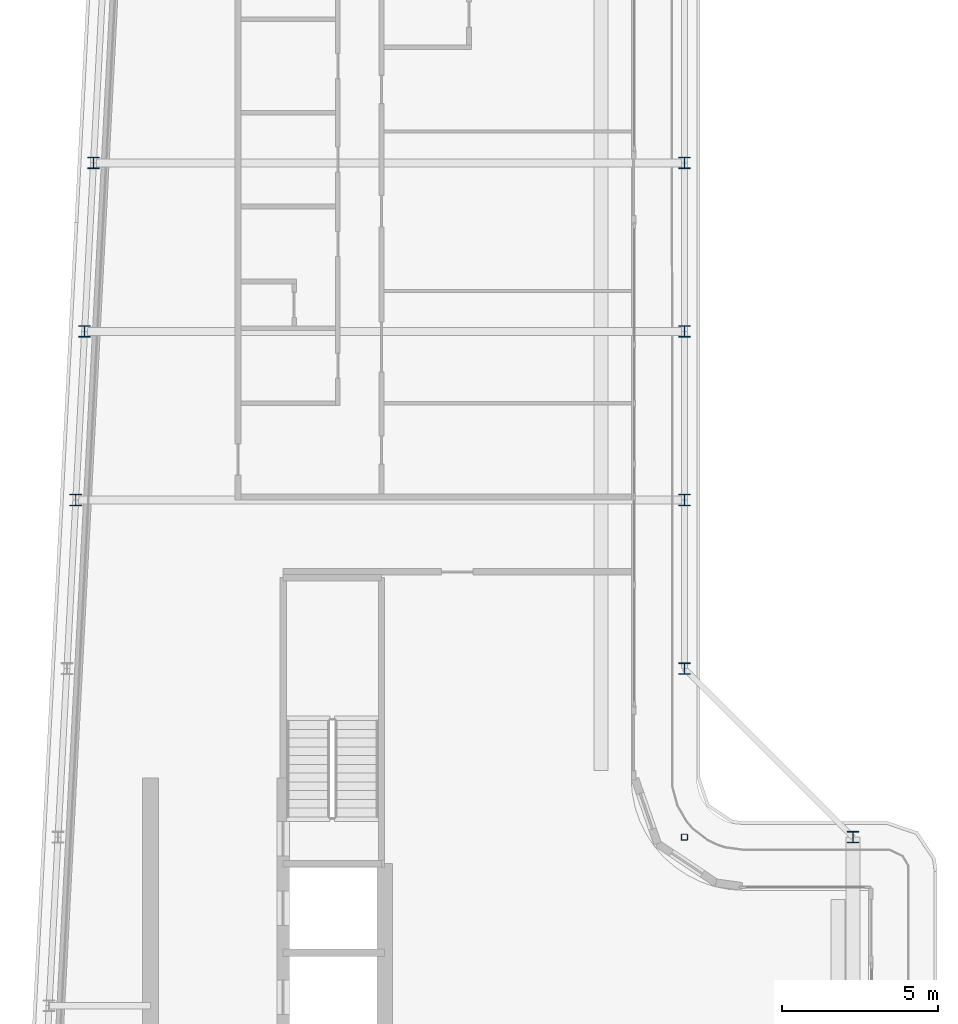
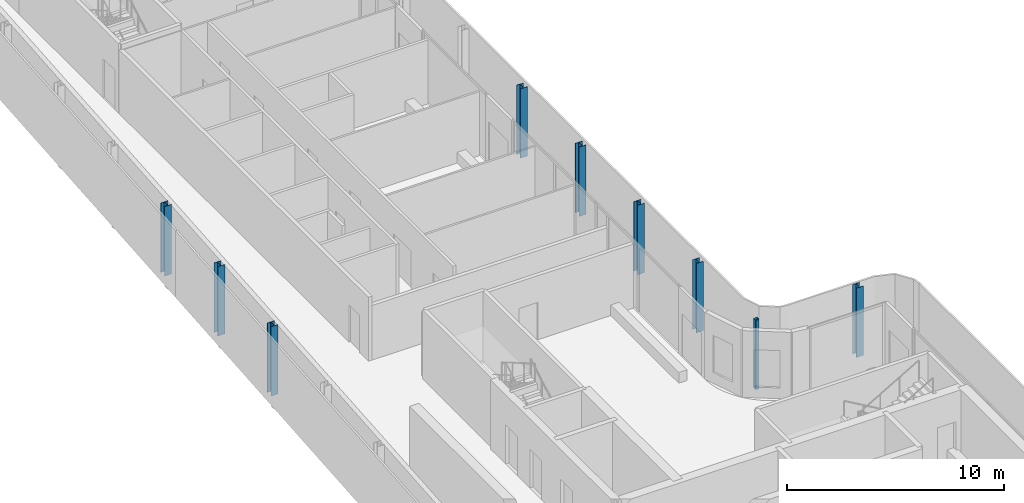
# One storey, part 2 of 18: 9 columns.
"""IFC4 building model written with IfcOpenShell, lengths in metres."""

import ifcopenshell
import ifcopenshell.guid

model = None  # the IFC model being written
_history = None  # IfcOwnerHistory: only IFC2X3 demands one
_inside = {}  # id of a spatial element -> (the spatial element, [elements in it])
_under = {}  # id of a project, library or spatial element -> (it, [spatial elements below it])
_declared = {}  # id of a project -> (the project, [libraries it declares])
_typed = {}  # id of a type object -> (the type object, [elements of that type])
_made_of = {}  # id of a material, layer set ... -> (it, [elements and type objects made of it])


def new_model(schema):
    """Start an empty IFC model of exactly this schema.

    Asked for "IFC4X3", IfcOpenShell would pick the latest addendum, in which some entities
    have other attributes; the version numbers below select the first issue.
    IFC2X3 requires an IfcOwnerHistory on every rooted entity: one is made here for all.
    """
    global model, _history
    if schema == "IFC4X3":
        model = ifcopenshell.file(schema_version=(4, 3, 0, 0))
    else:
        model = ifcopenshell.file(schema=schema)
    _inside.clear()
    _under.clear()
    _declared.clear()
    _typed.clear()
    _made_of.clear()
    _history = None
    if model.schema == "IFC2X3":
        org = make("IfcOrganization", Name="unknown")
        user = make(
            "IfcPersonAndOrganization",
            ThePerson=make("IfcPerson", FamilyName="unknown"),
            TheOrganization=org,
        )
        app = make(
            "IfcApplication",
            ApplicationDeveloper=org,
            Version="unknown",
            ApplicationFullName="unknown",
            ApplicationIdentifier="unknown",
        )
        _history = make(
            "IfcOwnerHistory",
            OwningUser=user,
            OwningApplication=app,
            ChangeAction="ADDED",
            CreationDate=0,
        )
    return model


def make(cls, **values):
    """One entity of the class cls with the attributes given. An attribute that is None is left unset."""
    return model.create_entity(
        cls, **{name: value for name, value in values.items() if value is not None}
    )


def rooted(cls, **values):
    """An entity with a GlobalId (a new one), such as an element, a storey or a relation."""
    return make(cls, GlobalId=ifcopenshell.guid.new(), OwnerHistory=_history, **values)


def si_unit(unit_type, name, prefix=None):
    """IfcSIUnit, for example si_unit("LENGTHUNIT", "METRE", prefix="MILLI")."""
    return make("IfcSIUnit", UnitType=unit_type, Prefix=prefix, Name=name)


def assignment(units):
    """IfcUnitAssignment: the units of a project."""
    return None if units is None else make("IfcUnitAssignment", Units=units)


def point(xyz):
    """IfcCartesianPoint."""
    return None if xyz is None else make("IfcCartesianPoint", Coordinates=xyz)


def direction(xyz):
    """IfcDirection."""
    return None if xyz is None else make("IfcDirection", DirectionRatios=xyz)


def frame(location, z_axis=None, x_axis=None):
    """IfcAxis2Placement3D, a coordinate frame: its origin and axes. An axis left out is left unset."""
    return make(
        "IfcAxis2Placement3D",
        Location=point(location),
        Axis=direction(z_axis),
        RefDirection=direction(x_axis),
    )


def frame_2d(location, x_axis=None):
    """IfcAxis2Placement2D, a coordinate frame in the plane: its origin and x axis."""
    return make(
        "IfcAxis2Placement2D", Location=point(location), RefDirection=direction(x_axis)
    )


def origin():
    """The frame at (0, 0, 0) with its axes left unset."""
    return frame((0.0, 0.0, 0.0))


def origin_2d():
    """The frame at (0, 0) in the plane with its x axis left unset."""
    return frame_2d((0.0, 0.0))


def place(relative_to, where):
    """IfcLocalPlacement: puts the frame where relative to a parent placement (None: the world)."""
    return make(
        "IfcLocalPlacement", PlacementRelTo=relative_to, RelativePlacement=where
    )


def context(
    kind, dimensions, precision=None, world=None, true_north=None, identifier=None
):
    """IfcGeometricRepresentationContext, for example the 3D "Model" context."""
    return make(
        "IfcGeometricRepresentationContext",
        ContextIdentifier=identifier,
        ContextType=kind,
        CoordinateSpaceDimension=dimensions,
        Precision=precision,
        WorldCoordinateSystem=world,
        TrueNorth=true_north,
    )


def subcontext(parent, identifier, kind, view, scale=None):
    """IfcGeometricRepresentationSubContext, for example "Body" below "Model"."""
    return make(
        "IfcGeometricRepresentationSubContext",
        ContextIdentifier=identifier,
        ContextType=kind,
        ParentContext=parent,
        TargetScale=scale,
        TargetView=view,
    )


def project(units=None, contexts=None):
    """IfcProject with its units and contexts."""
    return rooted(
        "IfcProject",
        Name="project",
        RepresentationContexts=contexts,
        UnitsInContext=assignment(units),
    )


def spatial(cls, under=None, at=None, **own):
    """A site, building, storey or space (cls), placed at a placement, below another one or the project."""
    s = rooted(cls, ObjectPlacement=at, **own)
    if under is not None:
        _under.setdefault(under.id(), (under, []))[1].append(s)
    return s


def profile(cls, at=None, kind="AREA", **sizes):
    """A parametric profile (cls). Its sizes go by their IFC names, for example OverallWidth=200.0."""
    return make(cls, ProfileType=kind, Position=at, **sizes)


def hollow_rectangle(**sizes):
    """IfcRectangleHollowProfileDef."""
    return profile("IfcRectangleHollowProfileDef", **sizes)


def i_section(**sizes):
    """IfcIShapeProfileDef."""
    return profile("IfcIShapeProfileDef", **sizes)


def extrude(swept, where, along, depth):
    """IfcExtrudedAreaSolid: the profile swept, set in the frame where, extruded along a direction by depth."""
    return make(
        "IfcExtrudedAreaSolid",
        SweptArea=swept,
        Position=where,
        ExtrudedDirection=direction(along),
        Depth=depth,
    )


def shape(context_of_items, identifier, shape_type, items):
    """IfcShapeRepresentation: the items that make up one representation, for example the "Body"."""
    return make(
        "IfcShapeRepresentation",
        ContextOfItems=context_of_items,
        RepresentationIdentifier=identifier,
        RepresentationType=shape_type,
        Items=items,
    )


def material(Name=None, Category=None):
    """IfcMaterial."""
    return make("IfcMaterial", Name=Name, Category=Category)


def material_profile(
    of_material, cross_section, Name=None, Category=None, Priority=None
):
    """IfcMaterialProfile: a cross section and its material."""
    return make(
        "IfcMaterialProfile",
        Name=Name,
        Material=of_material,
        Profile=cross_section,
        Priority=Priority,
        Category=Category,
    )


def profile_set(profiles, Name=None, composite=None):
    """IfcMaterialProfileSet."""
    return make(
        "IfcMaterialProfileSet",
        Name=Name,
        MaterialProfiles=profiles,
        CompositeProfile=composite,
    )


def made_of(thing, what):
    """Note that an element or type object is made of a material, layer set ...; save() writes the relation."""
    if what is not None:
        _made_of.setdefault(what.id(), (what, []))[1].append(thing)
    return thing


def type_object(cls, material=None, **own):
    """A type object (cls), such as IfcWallType, which elements share."""
    return made_of(rooted(cls, **own), material)


def element(
    cls,
    number,
    at=None,
    inside=None,
    cuts=None,
    type_object=None,
    material=None,
    context=None,
    identifier="Body",
    shape_type=None,
    held_by="IfcProductDefinitionShape",
    body=None,
    shapes=None,
    **own,
):
    """One element of the class cls, such as IfcWall. Its Tag is "e" and its number.

    at: its placement. inside: the storey or other place that contains it. cuts: it is an
    opening in that element (IfcRelVoidsElement). A single representation is given by context,
    identifier, shape_type and body (its items); several are given by shapes. held_by: the class
    of the entity that holds the representations. save() writes the other relations.
    """
    e = rooted(cls, Tag="e%d" % number, ObjectPlacement=at, **own)
    if body is not None:
        shapes = [shape(context, identifier, shape_type, body)]
    if shapes is not None:
        e.Representation = make(held_by, Representations=shapes)
    if inside is not None:
        _inside.setdefault(inside.id(), (inside, []))[1].append(e)
    if cuts is not None:
        rooted(
            "IfcRelVoidsElement", RelatingBuildingElement=cuts, RelatedOpeningElement=e
        )
    if type_object is not None:
        _typed.setdefault(type_object.id(), (type_object, []))[1].append(e)
    return made_of(e, material)


def aggregate(whole, parts):
    """IfcRelAggregates: a whole, such as a stair, and the parts it consists of."""
    return rooted("IfcRelAggregates", RelatingObject=whole, RelatedObjects=parts)


def save(model, path):
    """Write the relations noted so far, then the file.

    IfcRelAggregates (storeys below a building ...), IfcRelContainedInSpatialStructure (elements
    in a storey), IfcRelDefinesByType, IfcRelAssociatesMaterial and IfcRelDeclares: one each for
    every whole, place, type object, material and project.
    """
    for whole, parts in _under.values():
        aggregate(whole, parts)
    for where, things in _inside.values():
        rooted(
            "IfcRelContainedInSpatialStructure",
            RelatedElements=things,
            RelatingStructure=where,
        )
    for kind, things in _typed.values():
        rooted("IfcRelDefinesByType", RelatedObjects=things, RelatingType=kind)
    for what, things in _made_of.values():
        rooted("IfcRelAssociatesMaterial", RelatedObjects=things, RelatingMaterial=what)
    for by, libraries in _declared.values():
        rooted("IfcRelDeclares", RelatingContext=by, RelatedDefinitions=libraries)
    model.write(path)


model = new_model("IFC4")

# Units and contexts
model_context = context("Model", 3, precision=1e-05, world=origin(), true_north=direction((0.0, 1.0)))
body_context = subcontext(model_context, "Body", "Model", "MODEL_VIEW")
ifc_project = project(units=[si_unit("LENGTHUNIT", "METRE"), si_unit("AREAUNIT", "SQUARE_METRE"), si_unit("VOLUMEUNIT", "CUBIC_METRE"), si_unit("PLANEANGLEUNIT", "RADIAN"), si_unit("MASSUNIT", "GRAM", prefix="KILO")], contexts=[model_context])

# Site, building, storey
site_placement = place(None, origin())
site = spatial("IfcSite", under=ifc_project, at=site_placement, CompositionType="ELEMENT")
building_placement = place(site_placement, origin())
building = spatial("IfcBuilding", under=site, at=building_placement, Name="Kheshtan School and Residences Tower", CompositionType="ELEMENT")
storey_placement = place(building_placement, frame((0.0, 0.0, 381.199951171875)))
storey = spatial("IfcBuildingStorey", under=building, at=storey_placement, Name="L90", CompositionType="ELEMENT", Elevation=381.199951171875)

# Columns
ifc_material_1 = material(Name="Steel ASTM A992 Grade 50", Category="steel")
ifc_material_profile_1 = material_profile(ifc_material_1, i_section(OverallWidth=0.37109375, OverallDepth=0.364013671875, WebThickness=0.01318359375, FlangeThickness=0.021728515625, FilletRadius=0.010986328125, at=origin_2d()), Name="W360x162")
ifc_profile_set_1 = profile_set([ifc_material_profile_1], Name="Steel ASTM A992 Grade 50")
column_type_1 = type_object("IfcColumnType", Name="Column C6 W360x162 ASTM A992 Grade 50", PredefinedType="COLUMN", material=ifc_profile_set_1)
for number, where, z_axis, x_axis, name in (
    (1, (53.0, 45.60009765625, 0.0), (0.0, 0.0, 1.0), (1.0, 0.0, 0.0), "Column C061"),
    (2, (47.60009765625, 51.0, 0.0), (0.0, 0.0, 1.0), (1.0, 0.0, 0.0), "Column C079"),
    (3, (28.10595703125, 56.39990234375, 0.0), (0.0, 0.0, 1.0), (1.0, 0.0, 0.0), "Column C080"),
    (4, (47.60009765625, 56.39990234375, 0.0), (0.0, 0.0, 1.0), (1.0, 0.0, 0.0), "Column C081"),
    (5, (28.389892578125, 61.800048828125, 0.0), (0.0, 0.0, 1.0), (1.0, 0.0, 0.0), "Column C082"),
    (6, (47.60009765625, 61.800048828125, 0.0), (0.0, 0.0, 1.0), (1.0, 0.0, 0.0), "Column C083"),
    (7, (28.674072265625, 67.199951171875, 0.0), (0.0, 0.0, 1.0), (1.0, 0.0, 0.0), "Column C084"),
    (8, (47.60009765625, 67.199951171875, 0.0), (0.0, 0.0, 1.0), (1.0, 0.0, 0.0), "Column C085"),
):
    element("IfcColumn", number, at=place(storey_placement, frame(where, z_axis=z_axis, x_axis=x_axis)), inside=storey, type_object=column_type_1, Name=name, PredefinedType="COLUMN", context=body_context, shape_type="SweptSolid", body=[
        extrude(i_section(OverallWidth=0.37109375, OverallDepth=0.364013671875, WebThickness=0.01318359375, FlangeThickness=0.021728515625, FilletRadius=0.010986328125, at=origin_2d()), origin(), (0.0, 0.0, 1.0), 3.900146484375),
    ])
ifc_material_2 = material(Name="Steel ASTM A500 Grade C", Category="steel")
ifc_material_profile_2 = material_profile(ifc_material_2, hollow_rectangle(XDim=0.202880859375, YDim=0.202880859375, WallThickness=0.0126953125, InnerFilletRadius=0.0126953125, OuterFilletRadius=0.025390625, at=origin_2d()), Name="HSS 203x203x12.7")
ifc_profile_set_2 = profile_set([ifc_material_profile_2], Name="Steel ASTM A500 Grade C")
column_type_2 = type_object("IfcColumnType", Name="Column IC4 HSS 203x203x12.7 ASTM A500 Grade C", PredefinedType="COLUMN", material=ifc_profile_set_2)
column_placement = place(storey_placement, frame((47.60009765625, 45.60009765625, 0.0), z_axis=(0.0, 0.0, 1.0), x_axis=(1.0, 0.0, 0.0)))
element("IfcColumn", 9, at=column_placement, inside=storey, type_object=column_type_2, Name="Column C060", PredefinedType="COLUMN", context=body_context, shape_type="SweptSolid", body=[
    extrude(hollow_rectangle(XDim=0.202880859375, YDim=0.202880859375, WallThickness=0.0126953125, InnerFilletRadius=0.0126953125, OuterFilletRadius=0.025390625, at=origin_2d()), origin(), (0.0, 0.0, 1.0), 3.900146484375),
])

save(model, "model.ifc")
